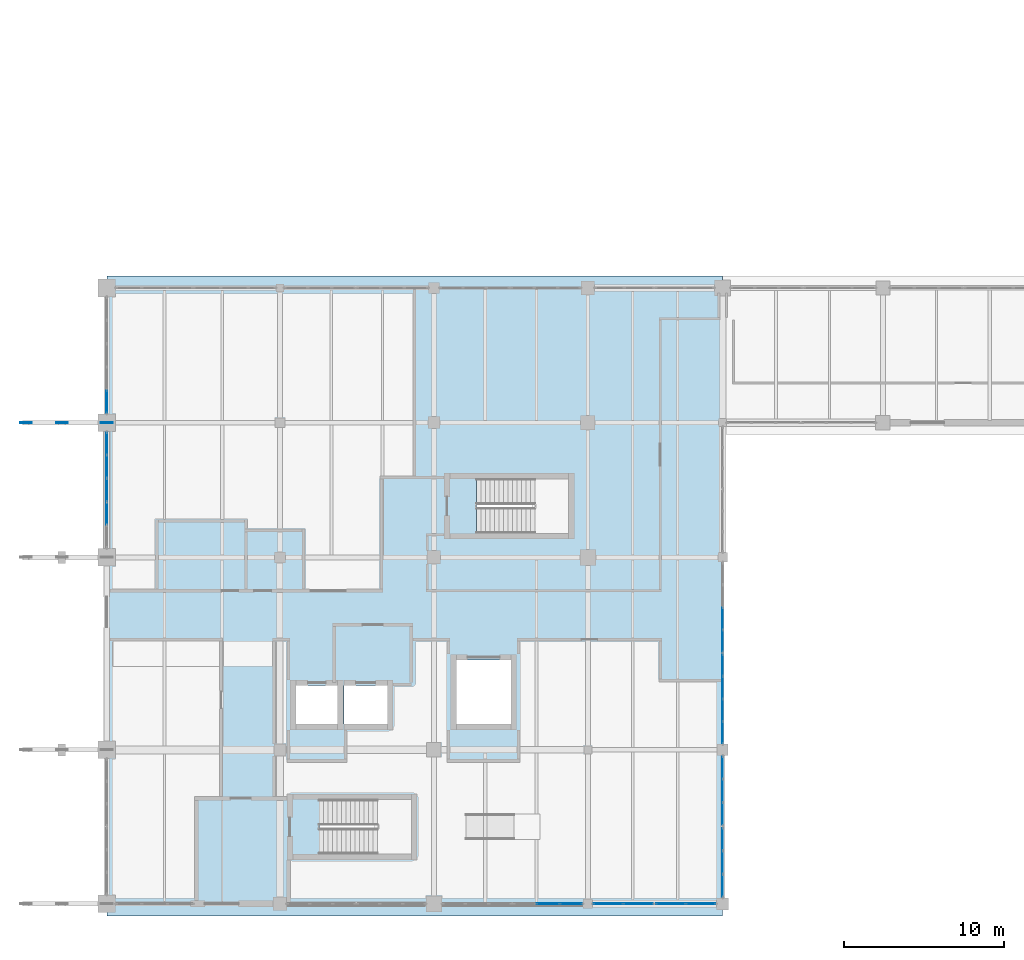
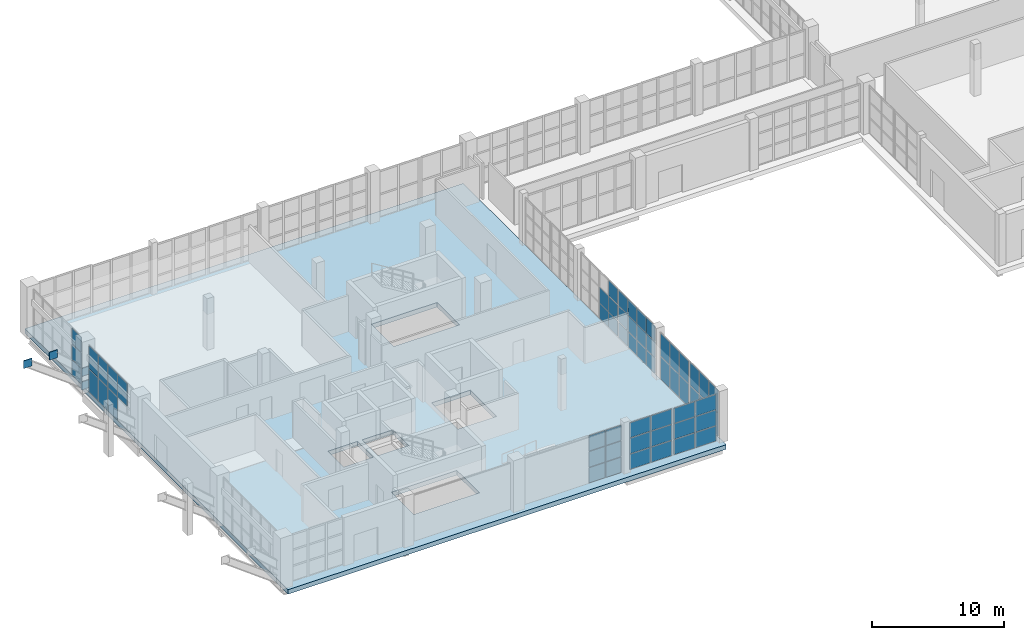
# One storey, part 73 of 121: 61 plates, 1 slab, 9 elements without a shape of their own.
"""IFC4 building model written with IfcOpenShell, lengths in metres."""

from ifc_helpers import new_model, si_unit, direction, frame, origin, origin_2d, place, context, subcontext, project, spatial, polyline, rectangle, outline, extrude, material, layer, layer_set, type_object, element, aggregate, save


model = new_model("IFC4")

# Units and contexts
model_context = context("Model", 3, precision=1e-05, world=origin(), true_north=direction((0.0, 1.0)))
body_context = subcontext(model_context, "Body", "Model", "MODEL_VIEW")
ifc_project = project(units=[si_unit("LENGTHUNIT", "METRE"), si_unit("AREAUNIT", "SQUARE_METRE"), si_unit("VOLUMEUNIT", "CUBIC_METRE"), si_unit("PLANEANGLEUNIT", "RADIAN"), si_unit("MASSUNIT", "GRAM", prefix="KILO")], contexts=[model_context])

# Site, building, storey
site_placement = place(None, origin())
site = spatial("IfcSite", under=ifc_project, at=site_placement, CompositionType="ELEMENT")
building_placement = place(site_placement, origin())
building = spatial("IfcBuilding", under=site, at=building_placement, Name="Zereglee Splitstone Museum", CompositionType="ELEMENT")
storey_placement = place(building_placement, origin())
storey = spatial("IfcBuildingStorey", under=building, at=storey_placement, Name="L00", CompositionType="ELEMENT", Elevation=0.0)

# Curtain wall, plates
ifc_material_1 = material(Name="Triple-glazed low-E argon glass and bronze-anodised aluminium", Category="aluminium")
ifc_layer_1 = layer(ifc_material_1, 0.179931640625)
ifc_layer_set_1 = layer_set([ifc_layer_1], Name="Triple-glazed low-E argon glass and bronze-anodised aluminium")
curtain_wall_type_1 = type_object("IfcCurtainWallType", Name="CW-0728-444", PredefinedType="USERDEFINED", material=ifc_layer_set_1)
curtain_wall_1_placement = place(storey_placement, origin())
curtain_wall_1 = element("IfcCurtainWall", 1, at=curtain_wall_1_placement, inside=storey, type_object=curtain_wall_type_1, Name="Glazed Curtain Wall CW-0728-444 (L00)", ObjectType="GLAZED CURTAIN WALL", PredefinedType="USERDEFINED")
ifc_material_2 = material(Name="Triple low-e argon insulated safety glass", Category="glass")
ifc_layer_2 = layer(ifc_material_2, 0.035888671875)
ifc_layer_set_2 = layer_set([ifc_layer_2], Name="Triple low-e argon insulated safety glass")
plate_type_1 = type_object("IfcPlateType", Name="CWP-01", PredefinedType="CURTAIN_PANEL", material=ifc_layer_set_2)
plate_1_placement = place(storey_placement, frame((9.60009765625, 31.302734375, 0.06494140625), z_axis=(0.0, 0.0, 1.0), x_axis=(0.0, -1.0, 0.0)))
plate_1 = element("IfcPlate", 2, at=plate_1_placement, type_object=plate_type_1, Name="CW-0728-444 panel 5.1", PredefinedType="CURTAIN_PANEL", context=body_context, shape_type="SweptSolid", body=[
    extrude(rectangle(XDim=1.359375, YDim=0.035888671875, at=origin_2d()), origin(), (0.0, 0.0, 1.0), 1.382568359375),
])
plate_2_placement = place(storey_placement, frame((9.60009765625, 31.302734375, 1.512451171875), z_axis=(0.0, 0.0, 1.0), x_axis=(0.0, -1.0, 0.0)))
plate_2 = element("IfcPlate", 3, at=plate_2_placement, type_object=plate_type_1, Name="CW-0728-444 panel 5.2", PredefinedType="CURTAIN_PANEL", context=body_context, shape_type="SweptSolid", body=[
    extrude(rectangle(XDim=1.359375, YDim=0.035888671875, at=origin_2d()), origin(), (0.0, 0.0, 1.0), 1.4150390625),
])
plate_3_placement = place(storey_placement, frame((9.60009765625, 31.302734375, 2.99267578125), z_axis=(0.0, 0.0, 1.0), x_axis=(0.0, -1.0, 0.0)))
plate_3 = element("IfcPlate", 4, at=plate_3_placement, type_object=plate_type_1, Name="CW-0728-444 panel 5.3", PredefinedType="CURTAIN_PANEL", context=body_context, shape_type="SweptSolid", body=[
    extrude(rectangle(XDim=1.359375, YDim=0.035888671875, at=origin_2d()), origin(), (0.0, 0.0, 1.0), 1.382568359375),
])
aggregate(curtain_wall_1, [plate_1, plate_2, plate_3])

ifc_layer_3 = layer(ifc_material_1, 0.179931640625)
ifc_layer_set_3 = layer_set([ifc_layer_3], Name="Triple-glazed low-E argon glass and bronze-anodised aluminium")
curtain_wall_type_2 = type_object("IfcCurtainWallType", Name="CW-0728-438", PredefinedType="USERDEFINED", material=ifc_layer_set_3)
curtain_wall_2_placement = place(storey_placement, origin())
curtain_wall_2 = element("IfcCurtainWall", 5, at=curtain_wall_2_placement, inside=storey, type_object=curtain_wall_type_2, Name="Glazed Curtain Wall CW-0728-438 (L00)", ObjectType="GLAZED CURTAIN WALL", PredefinedType="USERDEFINED")
plate_4_placement = place(storey_placement, frame((9.60009765625, 28.697265625, 0.06494140625), z_axis=(0.0, 0.0, 1.0), x_axis=(0.0, -1.0, 0.0)))
plate_4 = element("IfcPlate", 6, at=plate_4_placement, type_object=plate_type_1, Name="CW-0728-438 panel 1.1", PredefinedType="CURTAIN_PANEL", context=body_context, shape_type="SweptSolid", body=[
    extrude(rectangle(XDim=1.359375, YDim=0.035888671875, at=origin_2d()), origin(), (0.0, 0.0, 1.0), 2.092529296875),
])
plate_5_placement = place(storey_placement, frame((9.60009765625, 28.697265625, 2.22265625), z_axis=(0.0, 0.0, 1.0), x_axis=(0.0, -1.0, 0.0)))
plate_5 = element("IfcPlate", 7, at=plate_5_placement, type_object=plate_type_1, Name="CW-0728-438 panel 1.2", PredefinedType="CURTAIN_PANEL", context=body_context, shape_type="SweptSolid", body=[
    extrude(rectangle(XDim=1.359375, YDim=0.035888671875, at=origin_2d()), origin(), (0.0, 0.0, 1.0), 2.092529296875),
])
plate_6_placement = place(storey_placement, frame((9.60009765625, 27.2568359375, 0.06494140625), z_axis=(0.0, 0.0, 1.0), x_axis=(0.0, -1.0, 0.0)))
plate_6 = element("IfcPlate", 8, at=plate_6_placement, type_object=plate_type_1, Name="CW-0728-438 panel 2.1", PredefinedType="CURTAIN_PANEL", context=body_context, shape_type="SweptSolid", body=[
    extrude(rectangle(XDim=1.391845703125, YDim=0.035888671875, at=origin_2d()), origin(), (0.0, 0.0, 1.0), 2.092529296875),
])
plate_7_placement = place(storey_placement, frame((9.60009765625, 27.2568359375, 2.22265625), z_axis=(0.0, 0.0, 1.0), x_axis=(0.0, -1.0, 0.0)))
plate_7 = element("IfcPlate", 9, at=plate_7_placement, type_object=plate_type_1, Name="CW-0728-438 panel 2.2", PredefinedType="CURTAIN_PANEL", context=body_context, shape_type="SweptSolid", body=[
    extrude(rectangle(XDim=1.391845703125, YDim=0.035888671875, at=origin_2d()), origin(), (0.0, 0.0, 1.0), 2.092529296875),
])
plate_8_placement = place(storey_placement, frame((9.60009765625, 25.800048828125, 0.06494140625), z_axis=(0.0, 0.0, 1.0), x_axis=(0.0, -1.0, 0.0)))
plate_8 = element("IfcPlate", 10, at=plate_8_placement, type_object=plate_type_1, Name="CW-0728-438 panel 3.1", PredefinedType="CURTAIN_PANEL", context=body_context, shape_type="SweptSolid", body=[
    extrude(rectangle(XDim=1.391845703125, YDim=0.035888671875, at=origin_2d()), origin(), (0.0, 0.0, 1.0), 2.092529296875),
])
plate_9_placement = place(storey_placement, frame((9.60009765625, 25.800048828125, 2.22265625), z_axis=(0.0, 0.0, 1.0), x_axis=(0.0, -1.0, 0.0)))
plate_9 = element("IfcPlate", 11, at=plate_9_placement, type_object=plate_type_1, Name="CW-0728-438 panel 3.2", PredefinedType="CURTAIN_PANEL", context=body_context, shape_type="SweptSolid", body=[
    extrude(rectangle(XDim=1.391845703125, YDim=0.035888671875, at=origin_2d()), origin(), (0.0, 0.0, 1.0), 2.092529296875),
])
plate_10_placement = place(storey_placement, frame((9.60009765625, 24.34326171875, 2.22265625), z_axis=(0.0, 0.0, 1.0), x_axis=(0.0, -1.0, 0.0)))
plate_10 = element("IfcPlate", 12, at=plate_10_placement, type_object=plate_type_1, Name="CW-0728-438 panel 4.2", PredefinedType="CURTAIN_PANEL", context=body_context, shape_type="SweptSolid", body=[
    extrude(rectangle(XDim=1.391845703125, YDim=0.035888671875, at=origin_2d()), origin(), (0.0, 0.0, 1.0), 2.092529296875),
])
aggregate(curtain_wall_2, [plate_4, plate_5, plate_6, plate_7, plate_8, plate_9, plate_10])

ifc_layer_4 = layer(ifc_material_1, 0.179931640625)
ifc_layer_set_4 = layer_set([ifc_layer_4], Name="Triple-glazed low-E argon glass and bronze-anodised aluminium")
curtain_wall_type_3 = type_object("IfcCurtainWallType", Name="CW-0435-448", PredefinedType="USERDEFINED", material=ifc_layer_set_4)
curtain_wall_3_placement = place(storey_placement, origin())
curtain_wall_3 = element("IfcCurtainWall", 13, at=curtain_wall_3_placement, inside=storey, type_object=curtain_wall_type_3, Name="Glazed Curtain Wall CW-0435-448 (L00)", ObjectType="GLAZED CURTAIN WALL", PredefinedType="USERDEFINED")
plate_11_placement = place(storey_placement, frame((37.115966796875, 0.0, 0.06494140625), z_axis=(0.0, 0.0, 1.0), x_axis=(1.0, 0.0, 0.0)))
plate_11 = element("IfcPlate", 14, at=plate_11_placement, type_object=plate_type_1, Name="CW-0435-448 panel 2.1", PredefinedType="CURTAIN_PANEL", context=body_context, shape_type="SweptSolid", body=[
    extrude(rectangle(XDim=1.3857421875, YDim=0.035888671875, at=origin_2d()), origin(), (0.0, 0.0, 1.0), 1.395751953125),
])
plate_12_placement = place(storey_placement, frame((37.115966796875, 0.0, 1.52587890625), z_axis=(0.0, 0.0, 1.0), x_axis=(1.0, 0.0, 0.0)))
plate_12 = element("IfcPlate", 15, at=plate_12_placement, type_object=plate_type_1, Name="CW-0435-448 panel 2.2", PredefinedType="CURTAIN_PANEL", context=body_context, shape_type="SweptSolid", body=[
    extrude(rectangle(XDim=1.3857421875, YDim=0.035888671875, at=origin_2d()), origin(), (0.0, 0.0, 1.0), 1.428466796875),
])
plate_13_placement = place(storey_placement, frame((37.115966796875, 0.0, 3.01904296875), z_axis=(0.0, 0.0, 1.0), x_axis=(1.0, 0.0, 0.0)))
plate_13 = element("IfcPlate", 16, at=plate_13_placement, type_object=plate_type_1, Name="CW-0435-448 panel 2.3", PredefinedType="CURTAIN_PANEL", context=body_context, shape_type="SweptSolid", body=[
    extrude(rectangle(XDim=1.3857421875, YDim=0.035888671875, at=origin_2d()), origin(), (0.0, 0.0, 1.0), 1.395751953125),
])
plate_14_placement = place(storey_placement, frame((38.550537109375, 0.0, 0.06494140625), z_axis=(0.0, 0.0, 1.0), x_axis=(1.0, 0.0, 0.0)))
plate_14 = element("IfcPlate", 17, at=plate_14_placement, type_object=plate_type_1, Name="CW-0435-448 panel 3.1", PredefinedType="CURTAIN_PANEL", context=body_context, shape_type="SweptSolid", body=[
    extrude(rectangle(XDim=1.353271484375, YDim=0.035888671875, at=origin_2d()), origin(), (0.0, 0.0, 1.0), 1.395751953125),
])
plate_15_placement = place(storey_placement, frame((38.550537109375, 0.0, 1.52587890625), z_axis=(0.0, 0.0, 1.0), x_axis=(1.0, 0.0, 0.0)))
plate_15 = element("IfcPlate", 18, at=plate_15_placement, type_object=plate_type_1, Name="CW-0435-448 panel 3.2", PredefinedType="CURTAIN_PANEL", context=body_context, shape_type="SweptSolid", body=[
    extrude(rectangle(XDim=1.353271484375, YDim=0.035888671875, at=origin_2d()), origin(), (0.0, 0.0, 1.0), 1.428466796875),
])
plate_16_placement = place(storey_placement, frame((38.550537109375, 0.0, 3.01904296875), z_axis=(0.0, 0.0, 1.0), x_axis=(1.0, 0.0, 0.0)))
plate_16 = element("IfcPlate", 19, at=plate_16_placement, type_object=plate_type_1, Name="CW-0435-448 panel 3.3", PredefinedType="CURTAIN_PANEL", context=body_context, shape_type="SweptSolid", body=[
    extrude(rectangle(XDim=1.353271484375, YDim=0.035888671875, at=origin_2d()), origin(), (0.0, 0.0, 1.0), 1.395751953125),
])
aggregate(curtain_wall_3, [plate_11, plate_12, plate_13, plate_14, plate_15, plate_16])

ifc_layer_5 = layer(ifc_material_1, 0.179931640625)
ifc_layer_set_5 = layer_set([ifc_layer_5], Name="Triple-glazed low-E argon glass and bronze-anodised aluminium")
curtain_wall_type_4 = type_object("IfcCurtainWallType", Name="CW-0381-444", PredefinedType="USERDEFINED", material=ifc_layer_set_5)
curtain_wall_4_placement = place(storey_placement, origin())
curtain_wall_4 = element("IfcCurtainWall", 20, at=curtain_wall_4_placement, inside=storey, type_object=curtain_wall_type_4, Name="Glazed Curtain Wall CW-0381-444 (L00)", ObjectType="GLAZED CURTAIN WALL", PredefinedType="USERDEFINED")
plate_17_placement = place(storey_placement, frame((40.8779296875, 0.0, 0.06494140625), z_axis=(0.0, 0.0, 1.0), x_axis=(1.0, 0.0, 0.0)))
plate_17 = element("IfcPlate", 21, at=plate_17_placement, type_object=plate_type_1, Name="CW-0381-444 panel 1.1", PredefinedType="CURTAIN_PANEL", context=body_context, shape_type="SweptSolid", body=[
    extrude(rectangle(XDim=1.809814453125, YDim=0.035888671875, at=origin_2d()), origin(), (0.0, 0.0, 1.0), 1.382568359375),
])
plate_18_placement = place(storey_placement, frame((40.8779296875, 0.0, 1.512451171875), z_axis=(0.0, 0.0, 1.0), x_axis=(1.0, 0.0, 0.0)))
plate_18 = element("IfcPlate", 22, at=plate_18_placement, type_object=plate_type_1, Name="CW-0381-444 panel 1.2", PredefinedType="CURTAIN_PANEL", context=body_context, shape_type="SweptSolid", body=[
    extrude(rectangle(XDim=1.809814453125, YDim=0.035888671875, at=origin_2d()), origin(), (0.0, 0.0, 1.0), 1.4150390625),
])
plate_19_placement = place(storey_placement, frame((40.8779296875, 0.0, 2.99267578125), z_axis=(0.0, 0.0, 1.0), x_axis=(1.0, 0.0, 0.0)))
plate_19 = element("IfcPlate", 23, at=plate_19_placement, type_object=plate_type_1, Name="CW-0381-444 panel 1.3", PredefinedType="CURTAIN_PANEL", context=body_context, shape_type="SweptSolid", body=[
    extrude(rectangle(XDim=1.809814453125, YDim=0.035888671875, at=origin_2d()), origin(), (0.0, 0.0, 1.0), 1.382568359375),
])
plate_20_placement = place(storey_placement, frame((42.752685546875, 0.0, 0.06494140625), z_axis=(0.0, 0.0, 1.0), x_axis=(1.0, 0.0, 0.0)))
plate_20 = element("IfcPlate", 24, at=plate_20_placement, type_object=plate_type_1, Name="CW-0381-444 panel 2.1", PredefinedType="CURTAIN_PANEL", context=body_context, shape_type="SweptSolid", body=[
    extrude(rectangle(XDim=1.809814453125, YDim=0.035888671875, at=origin_2d()), origin(), (0.0, 0.0, 1.0), 1.382568359375),
])
plate_21_placement = place(storey_placement, frame((42.752685546875, 0.0, 1.512451171875), z_axis=(0.0, 0.0, 1.0), x_axis=(1.0, 0.0, 0.0)))
plate_21 = element("IfcPlate", 25, at=plate_21_placement, type_object=plate_type_1, Name="CW-0381-444 panel 2.2", PredefinedType="CURTAIN_PANEL", context=body_context, shape_type="SweptSolid", body=[
    extrude(rectangle(XDim=1.809814453125, YDim=0.035888671875, at=origin_2d()), origin(), (0.0, 0.0, 1.0), 1.4150390625),
])
plate_22_placement = place(storey_placement, frame((42.752685546875, 0.0, 2.99267578125), z_axis=(0.0, 0.0, 1.0), x_axis=(1.0, 0.0, 0.0)))
plate_22 = element("IfcPlate", 26, at=plate_22_placement, type_object=plate_type_1, Name="CW-0381-444 panel 2.3", PredefinedType="CURTAIN_PANEL", context=body_context, shape_type="SweptSolid", body=[
    extrude(rectangle(XDim=1.809814453125, YDim=0.035888671875, at=origin_2d()), origin(), (0.0, 0.0, 1.0), 1.382568359375),
])
aggregate(curtain_wall_4, [plate_17, plate_18, plate_19, plate_20, plate_21, plate_22])

ifc_layer_6 = layer(ifc_material_1, 0.179931640625)
ifc_layer_set_6 = layer_set([ifc_layer_6], Name="Triple-glazed low-E argon glass and bronze-anodised aluminium")
curtain_wall_type_5 = type_object("IfcCurtainWallType", Name="CW-0381-442", PredefinedType="USERDEFINED", material=ifc_layer_set_6)
curtain_wall_5_placement = place(storey_placement, origin())
curtain_wall_5 = element("IfcCurtainWall", 27, at=curtain_wall_5_placement, inside=storey, type_object=curtain_wall_type_5, Name="Glazed Curtain Wall CW-0381-442 (L00)", ObjectType="GLAZED CURTAIN WALL", PredefinedType="USERDEFINED")
plate_23_placement = place(storey_placement, frame((44.7724609375, 0.0, 0.06494140625), z_axis=(0.0, 0.0, 1.0), x_axis=(1.0, 0.0, 0.0)))
plate_23 = element("IfcPlate", 28, at=plate_23_placement, type_object=plate_type_1, Name="CW-0381-442 panel 1.1", PredefinedType="CURTAIN_PANEL", context=body_context, shape_type="SweptSolid", body=[
    extrude(rectangle(XDim=1.809814453125, YDim=0.035888671875, at=origin_2d()), origin(), (0.0, 0.0, 1.0), 1.375732421875),
])
plate_24_placement = place(storey_placement, frame((44.7724609375, 0.0, 1.505859375), z_axis=(0.0, 0.0, 1.0), x_axis=(1.0, 0.0, 0.0)))
plate_24 = element("IfcPlate", 29, at=plate_24_placement, type_object=plate_type_1, Name="CW-0381-442 panel 1.2", PredefinedType="CURTAIN_PANEL", context=body_context, shape_type="SweptSolid", body=[
    extrude(rectangle(XDim=1.809814453125, YDim=0.035888671875, at=origin_2d()), origin(), (0.0, 0.0, 1.0), 1.408447265625),
])
plate_25_placement = place(storey_placement, frame((44.7724609375, 0.0, 2.97900390625), z_axis=(0.0, 0.0, 1.0), x_axis=(1.0, 0.0, 0.0)))
plate_25 = element("IfcPlate", 30, at=plate_25_placement, type_object=plate_type_1, Name="CW-0381-442 panel 1.3", PredefinedType="CURTAIN_PANEL", context=body_context, shape_type="SweptSolid", body=[
    extrude(rectangle(XDim=1.809814453125, YDim=0.035888671875, at=origin_2d()), origin(), (0.0, 0.0, 1.0), 1.375732421875),
])
plate_26_placement = place(storey_placement, frame((46.647216796875, 0.0, 0.06494140625), z_axis=(0.0, 0.0, 1.0), x_axis=(1.0, 0.0, 0.0)))
plate_26 = element("IfcPlate", 31, at=plate_26_placement, type_object=plate_type_1, Name="CW-0381-442 panel 2.1", PredefinedType="CURTAIN_PANEL", context=body_context, shape_type="SweptSolid", body=[
    extrude(rectangle(XDim=1.809814453125, YDim=0.035888671875, at=origin_2d()), origin(), (0.0, 0.0, 1.0), 1.375732421875),
])
plate_27_placement = place(storey_placement, frame((46.647216796875, 0.0, 1.505859375), z_axis=(0.0, 0.0, 1.0), x_axis=(1.0, 0.0, 0.0)))
plate_27 = element("IfcPlate", 32, at=plate_27_placement, type_object=plate_type_1, Name="CW-0381-442 panel 2.2", PredefinedType="CURTAIN_PANEL", context=body_context, shape_type="SweptSolid", body=[
    extrude(rectangle(XDim=1.809814453125, YDim=0.035888671875, at=origin_2d()), origin(), (0.0, 0.0, 1.0), 1.408447265625),
])
plate_28_placement = place(storey_placement, frame((46.647216796875, 0.0, 2.97900390625), z_axis=(0.0, 0.0, 1.0), x_axis=(1.0, 0.0, 0.0)))
plate_28 = element("IfcPlate", 33, at=plate_28_placement, type_object=plate_type_1, Name="CW-0381-442 panel 2.3", PredefinedType="CURTAIN_PANEL", context=body_context, shape_type="SweptSolid", body=[
    extrude(rectangle(XDim=1.809814453125, YDim=0.035888671875, at=origin_2d()), origin(), (0.0, 0.0, 1.0), 1.375732421875),
])
aggregate(curtain_wall_5, [plate_23, plate_24, plate_25, plate_26, plate_27, plate_28])

ifc_layer_7 = layer(ifc_material_1, 0.179931640625)
ifc_layer_set_7 = layer_set([ifc_layer_7], Name="Triple-glazed low-E argon glass and bronze-anodised aluminium")
curtain_wall_type_6 = type_object("IfcCurtainWallType", Name="CW-0439-438", PredefinedType="USERDEFINED", material=ifc_layer_set_7)
curtain_wall_6_placement = place(storey_placement, origin())
curtain_wall_6 = element("IfcCurtainWall", 34, at=curtain_wall_6_placement, inside=storey, type_object=curtain_wall_type_6, Name="Glazed Curtain Wall CW-0439-438 (L00)", ObjectType="GLAZED CURTAIN WALL", PredefinedType="USERDEFINED")
plate_29_placement = place(storey_placement, frame((48.0, 1.130859375, 0.06494140625), z_axis=(0.0, 0.0, 1.0), x_axis=(0.0, 1.0, 0.0)))
plate_29 = element("IfcPlate", 35, at=plate_29_placement, type_object=plate_type_1, Name="CW-0439-438 panel 1.1", PredefinedType="CURTAIN_PANEL", context=body_context, shape_type="SweptSolid", body=[
    extrude(rectangle(XDim=1.36572265625, YDim=0.035888671875, at=origin_2d()), origin(), (0.0, 0.0, 1.0), 2.092529296875),
])
plate_30_placement = place(storey_placement, frame((48.0, 1.130859375, 2.22265625), z_axis=(0.0, 0.0, 1.0), x_axis=(0.0, 1.0, 0.0)))
plate_30 = element("IfcPlate", 36, at=plate_30_placement, type_object=plate_type_1, Name="CW-0439-438 panel 1.2", PredefinedType="CURTAIN_PANEL", context=body_context, shape_type="SweptSolid", body=[
    extrude(rectangle(XDim=1.36572265625, YDim=0.035888671875, at=origin_2d()), origin(), (0.0, 0.0, 1.0), 2.092529296875),
])
plate_31_placement = place(storey_placement, frame((48.0, 2.57763671875, 0.06494140625), z_axis=(0.0, 0.0, 1.0), x_axis=(0.0, 1.0, 0.0)))
plate_31 = element("IfcPlate", 37, at=plate_31_placement, type_object=plate_type_1, Name="CW-0439-438 panel 2.1", PredefinedType="CURTAIN_PANEL", context=body_context, shape_type="SweptSolid", body=[
    extrude(rectangle(XDim=1.398193359375, YDim=0.035888671875, at=origin_2d()), origin(), (0.0, 0.0, 1.0), 2.092529296875),
])
plate_32_placement = place(storey_placement, frame((48.0, 2.57763671875, 2.22265625), z_axis=(0.0, 0.0, 1.0), x_axis=(0.0, 1.0, 0.0)))
plate_32 = element("IfcPlate", 38, at=plate_32_placement, type_object=plate_type_1, Name="CW-0439-438 panel 2.2", PredefinedType="CURTAIN_PANEL", context=body_context, shape_type="SweptSolid", body=[
    extrude(rectangle(XDim=1.398193359375, YDim=0.035888671875, at=origin_2d()), origin(), (0.0, 0.0, 1.0), 2.092529296875),
])
plate_33_placement = place(storey_placement, frame((48.0, 4.024658203125, 0.06494140625), z_axis=(0.0, 0.0, 1.0), x_axis=(0.0, 1.0, 0.0)))
plate_33 = element("IfcPlate", 39, at=plate_33_placement, type_object=plate_type_1, Name="CW-0439-438 panel 3.1", PredefinedType="CURTAIN_PANEL", context=body_context, shape_type="SweptSolid", body=[
    extrude(rectangle(XDim=1.36572265625, YDim=0.035888671875, at=origin_2d()), origin(), (0.0, 0.0, 1.0), 2.092529296875),
])
plate_34_placement = place(storey_placement, frame((48.0, 4.024658203125, 2.22265625), z_axis=(0.0, 0.0, 1.0), x_axis=(0.0, 1.0, 0.0)))
plate_34 = element("IfcPlate", 40, at=plate_34_placement, type_object=plate_type_1, Name="CW-0439-438 panel 3.2", PredefinedType="CURTAIN_PANEL", context=body_context, shape_type="SweptSolid", body=[
    extrude(rectangle(XDim=1.36572265625, YDim=0.035888671875, at=origin_2d()), origin(), (0.0, 0.0, 1.0), 2.092529296875),
])
aggregate(curtain_wall_6, [plate_29, plate_30, plate_31, plate_32, plate_33, plate_34])

ifc_layer_8 = layer(ifc_material_1, 0.179931640625)
ifc_layer_set_8 = layer_set([ifc_layer_8], Name="Triple-glazed low-E argon glass and bronze-anodised aluminium")
curtain_wall_type_7 = type_object("IfcCurtainWallType", Name="CW-0439-436", PredefinedType="USERDEFINED", material=ifc_layer_set_8)
curtain_wall_7_placement = place(storey_placement, origin())
curtain_wall_7 = element("IfcCurtainWall", 41, at=curtain_wall_7_placement, inside=storey, type_object=curtain_wall_type_7, Name="Glazed Curtain Wall CW-0439-436 (L00)", ObjectType="GLAZED CURTAIN WALL", PredefinedType="USERDEFINED")
plate_35_placement = place(storey_placement, frame((48.0, 5.600341796875, 0.06494140625), z_axis=(0.0, 0.0, 1.0), x_axis=(0.0, 1.0, 0.0)))
plate_35 = element("IfcPlate", 42, at=plate_35_placement, type_object=plate_type_1, Name="CW-0439-436 panel 1.1", PredefinedType="CURTAIN_PANEL", context=body_context, shape_type="SweptSolid", body=[
    extrude(rectangle(XDim=1.36572265625, YDim=0.035888671875, at=origin_2d()), origin(), (0.0, 0.0, 1.0), 2.08251953125),
])
plate_36_placement = place(storey_placement, frame((48.0, 5.600341796875, 2.21240234375), z_axis=(0.0, 0.0, 1.0), x_axis=(0.0, 1.0, 0.0)))
plate_36 = element("IfcPlate", 43, at=plate_36_placement, type_object=plate_type_1, Name="CW-0439-436 panel 1.2", PredefinedType="CURTAIN_PANEL", context=body_context, shape_type="SweptSolid", body=[
    extrude(rectangle(XDim=1.36572265625, YDim=0.035888671875, at=origin_2d()), origin(), (0.0, 0.0, 1.0), 2.08251953125),
])
plate_37_placement = place(storey_placement, frame((48.0, 7.04736328125, 0.06494140625), z_axis=(0.0, 0.0, 1.0), x_axis=(0.0, 1.0, 0.0)))
plate_37 = element("IfcPlate", 44, at=plate_37_placement, type_object=plate_type_1, Name="CW-0439-436 panel 2.1", PredefinedType="CURTAIN_PANEL", context=body_context, shape_type="SweptSolid", body=[
    extrude(rectangle(XDim=1.398193359375, YDim=0.035888671875, at=origin_2d()), origin(), (0.0, 0.0, 1.0), 2.08251953125),
])
plate_38_placement = place(storey_placement, frame((48.0, 7.04736328125, 2.21240234375), z_axis=(0.0, 0.0, 1.0), x_axis=(0.0, 1.0, 0.0)))
plate_38 = element("IfcPlate", 45, at=plate_38_placement, type_object=plate_type_1, Name="CW-0439-436 panel 2.2", PredefinedType="CURTAIN_PANEL", context=body_context, shape_type="SweptSolid", body=[
    extrude(rectangle(XDim=1.398193359375, YDim=0.035888671875, at=origin_2d()), origin(), (0.0, 0.0, 1.0), 2.08251953125),
])
plate_39_placement = place(storey_placement, frame((48.0, 8.494140625, 0.06494140625), z_axis=(0.0, 0.0, 1.0), x_axis=(0.0, 1.0, 0.0)))
plate_39 = element("IfcPlate", 46, at=plate_39_placement, type_object=plate_type_1, Name="CW-0439-436 panel 3.1", PredefinedType="CURTAIN_PANEL", context=body_context, shape_type="SweptSolid", body=[
    extrude(rectangle(XDim=1.36572265625, YDim=0.035888671875, at=origin_2d()), origin(), (0.0, 0.0, 1.0), 2.08251953125),
])
plate_40_placement = place(storey_placement, frame((48.0, 8.494140625, 2.21240234375), z_axis=(0.0, 0.0, 1.0), x_axis=(0.0, 1.0, 0.0)))
plate_40 = element("IfcPlate", 47, at=plate_40_placement, type_object=plate_type_1, Name="CW-0439-436 panel 3.2", PredefinedType="CURTAIN_PANEL", context=body_context, shape_type="SweptSolid", body=[
    extrude(rectangle(XDim=1.36572265625, YDim=0.035888671875, at=origin_2d()), origin(), (0.0, 0.0, 1.0), 2.08251953125),
])
aggregate(curtain_wall_7, [plate_35, plate_36, plate_37, plate_38, plate_39, plate_40])

ifc_layer_9 = layer(ifc_material_1, 0.179931640625)
ifc_layer_set_9 = layer_set([ifc_layer_9], Name="Triple-glazed low-E argon glass and bronze-anodised aluminium")
curtain_wall_type_8 = type_object("IfcCurtainWallType", Name="CW-0563-450", PredefinedType="USERDEFINED", material=ifc_layer_set_9)
curtain_wall_8_placement = place(storey_placement, origin())
curtain_wall_8 = element("IfcCurtainWall", 48, at=curtain_wall_8_placement, inside=storey, type_object=curtain_wall_type_8, Name="Glazed Curtain Wall CW-0563-450 (L00)", ObjectType="GLAZED CURTAIN WALL", PredefinedType="USERDEFINED")
plate_41_placement = place(storey_placement, frame((48.0, 10.677734375, 0.06494140625), z_axis=(0.0, 0.0, 1.0), x_axis=(0.0, 1.0, 0.0)))
plate_41 = element("IfcPlate", 49, at=plate_41_placement, type_object=plate_type_1, Name="CW-0563-450 panel 1.1", PredefinedType="CURTAIN_PANEL", context=body_context, shape_type="SweptSolid", body=[
    extrude(rectangle(XDim=1.309326171875, YDim=0.035888671875, at=origin_2d()), origin(), (0.0, 0.0, 1.0), 1.402587890625),
])
plate_42_placement = place(storey_placement, frame((48.0, 10.677734375, 1.532470703125), z_axis=(0.0, 0.0, 1.0), x_axis=(0.0, 1.0, 0.0)))
plate_42 = element("IfcPlate", 50, at=plate_42_placement, type_object=plate_type_1, Name="CW-0563-450 panel 1.2", PredefinedType="CURTAIN_PANEL", context=body_context, shape_type="SweptSolid", body=[
    extrude(rectangle(XDim=1.309326171875, YDim=0.035888671875, at=origin_2d()), origin(), (0.0, 0.0, 1.0), 1.43505859375),
])
plate_43_placement = place(storey_placement, frame((48.0, 10.677734375, 3.0322265625), z_axis=(0.0, 0.0, 1.0), x_axis=(0.0, 1.0, 0.0)))
plate_43 = element("IfcPlate", 51, at=plate_43_placement, type_object=plate_type_1, Name="CW-0563-450 panel 1.3", PredefinedType="CURTAIN_PANEL", context=body_context, shape_type="SweptSolid", body=[
    extrude(rectangle(XDim=1.309326171875, YDim=0.035888671875, at=origin_2d()), origin(), (0.0, 0.0, 1.0), 1.402587890625),
])
plate_44_placement = place(storey_placement, frame((48.0, 12.068115234375, 0.06494140625), z_axis=(0.0, 0.0, 1.0), x_axis=(0.0, 1.0, 0.0)))
plate_44 = element("IfcPlate", 52, at=plate_44_placement, type_object=plate_type_1, Name="CW-0563-450 panel 2.1", PredefinedType="CURTAIN_PANEL", context=body_context, shape_type="SweptSolid", body=[
    extrude(rectangle(XDim=1.341796875, YDim=0.035888671875, at=origin_2d()), origin(), (0.0, 0.0, 1.0), 1.402587890625),
])
plate_45_placement = place(storey_placement, frame((48.0, 12.068115234375, 1.532470703125), z_axis=(0.0, 0.0, 1.0), x_axis=(0.0, 1.0, 0.0)))
plate_45 = element("IfcPlate", 53, at=plate_45_placement, type_object=plate_type_1, Name="CW-0563-450 panel 2.2", PredefinedType="CURTAIN_PANEL", context=body_context, shape_type="SweptSolid", body=[
    extrude(rectangle(XDim=1.341796875, YDim=0.035888671875, at=origin_2d()), origin(), (0.0, 0.0, 1.0), 1.43505859375),
])
plate_46_placement = place(storey_placement, frame((48.0, 12.068115234375, 3.0322265625), z_axis=(0.0, 0.0, 1.0), x_axis=(0.0, 1.0, 0.0)))
plate_46 = element("IfcPlate", 54, at=plate_46_placement, type_object=plate_type_1, Name="CW-0563-450 panel 2.3", PredefinedType="CURTAIN_PANEL", context=body_context, shape_type="SweptSolid", body=[
    extrude(rectangle(XDim=1.341796875, YDim=0.035888671875, at=origin_2d()), origin(), (0.0, 0.0, 1.0), 1.402587890625),
])
plate_47_placement = place(storey_placement, frame((48.0, 13.474853515625, 0.06494140625), z_axis=(0.0, 0.0, 1.0), x_axis=(0.0, 1.0, 0.0)))
plate_47 = element("IfcPlate", 55, at=plate_47_placement, type_object=plate_type_1, Name="CW-0563-450 panel 3.1", PredefinedType="CURTAIN_PANEL", context=body_context, shape_type="SweptSolid", body=[
    extrude(rectangle(XDim=1.341796875, YDim=0.035888671875, at=origin_2d()), origin(), (0.0, 0.0, 1.0), 1.402587890625),
])
plate_48_placement = place(storey_placement, frame((48.0, 13.474853515625, 1.532470703125), z_axis=(0.0, 0.0, 1.0), x_axis=(0.0, 1.0, 0.0)))
plate_48 = element("IfcPlate", 56, at=plate_48_placement, type_object=plate_type_1, Name="CW-0563-450 panel 3.2", PredefinedType="CURTAIN_PANEL", context=body_context, shape_type="SweptSolid", body=[
    extrude(rectangle(XDim=1.341796875, YDim=0.035888671875, at=origin_2d()), origin(), (0.0, 0.0, 1.0), 1.43505859375),
])
plate_49_placement = place(storey_placement, frame((48.0, 13.474853515625, 3.0322265625), z_axis=(0.0, 0.0, 1.0), x_axis=(0.0, 1.0, 0.0)))
plate_49 = element("IfcPlate", 57, at=plate_49_placement, type_object=plate_type_1, Name="CW-0563-450 panel 3.3", PredefinedType="CURTAIN_PANEL", context=body_context, shape_type="SweptSolid", body=[
    extrude(rectangle(XDim=1.341796875, YDim=0.035888671875, at=origin_2d()), origin(), (0.0, 0.0, 1.0), 1.402587890625),
])
plate_50_placement = place(storey_placement, frame((48.0, 14.865478515625, 0.06494140625), z_axis=(0.0, 0.0, 1.0), x_axis=(0.0, 1.0, 0.0)))
plate_50 = element("IfcPlate", 58, at=plate_50_placement, type_object=plate_type_1, Name="CW-0563-450 panel 4.1", PredefinedType="CURTAIN_PANEL", context=body_context, shape_type="SweptSolid", body=[
    extrude(rectangle(XDim=1.309326171875, YDim=0.035888671875, at=origin_2d()), origin(), (0.0, 0.0, 1.0), 1.402587890625),
])
plate_51_placement = place(storey_placement, frame((48.0, 14.865478515625, 1.532470703125), z_axis=(0.0, 0.0, 1.0), x_axis=(0.0, 1.0, 0.0)))
plate_51 = element("IfcPlate", 59, at=plate_51_placement, type_object=plate_type_1, Name="CW-0563-450 panel 4.2", PredefinedType="CURTAIN_PANEL", context=body_context, shape_type="SweptSolid", body=[
    extrude(rectangle(XDim=1.309326171875, YDim=0.035888671875, at=origin_2d()), origin(), (0.0, 0.0, 1.0), 1.43505859375),
])
plate_52_placement = place(storey_placement, frame((48.0, 14.865478515625, 3.0322265625), z_axis=(0.0, 0.0, 1.0), x_axis=(0.0, 1.0, 0.0)))
plate_52 = element("IfcPlate", 60, at=plate_52_placement, type_object=plate_type_1, Name="CW-0563-450 panel 4.3", PredefinedType="CURTAIN_PANEL", context=body_context, shape_type="SweptSolid", body=[
    extrude(rectangle(XDim=1.309326171875, YDim=0.035888671875, at=origin_2d()), origin(), (0.0, 0.0, 1.0), 1.402587890625),
])
aggregate(curtain_wall_8, [plate_41, plate_42, plate_43, plate_44, plate_45, plate_46, plate_47, plate_48, plate_49, plate_50, plate_51, plate_52])

ifc_layer_10 = layer(ifc_material_1, 0.179931640625)
ifc_layer_set_10 = layer_set([ifc_layer_10], Name="Triple-glazed low-E argon glass and bronze-anodised aluminium")
curtain_wall_type_9 = type_object("IfcCurtainWallType", Name="CW-0563-448", PredefinedType="USERDEFINED", material=ifc_layer_set_10)
curtain_wall_9_placement = place(storey_placement, origin())
curtain_wall_9 = element("IfcCurtainWall", 61, at=curtain_wall_9_placement, inside=storey, type_object=curtain_wall_type_9, Name="Glazed Curtain Wall CW-0563-448 (L00)", ObjectType="GLAZED CURTAIN WALL", PredefinedType="USERDEFINED")
plate_53_placement = place(storey_placement, frame((48.0, 16.384521484375, 0.06494140625), z_axis=(0.0, 0.0, 1.0), x_axis=(0.0, 1.0, 0.0)))
plate_53 = element("IfcPlate", 62, at=plate_53_placement, type_object=plate_type_1, Name="CW-0563-448 panel 1.1", PredefinedType="CURTAIN_PANEL", context=body_context, shape_type="SweptSolid", body=[
    extrude(rectangle(XDim=1.309326171875, YDim=0.035888671875, at=origin_2d()), origin(), (0.0, 0.0, 1.0), 1.395751953125),
])
plate_54_placement = place(storey_placement, frame((48.0, 16.384521484375, 1.52587890625), z_axis=(0.0, 0.0, 1.0), x_axis=(0.0, 1.0, 0.0)))
plate_54 = element("IfcPlate", 63, at=plate_54_placement, type_object=plate_type_1, Name="CW-0563-448 panel 1.2", PredefinedType="CURTAIN_PANEL", context=body_context, shape_type="SweptSolid", body=[
    extrude(rectangle(XDim=1.309326171875, YDim=0.035888671875, at=origin_2d()), origin(), (0.0, 0.0, 1.0), 1.428466796875),
])
plate_55_placement = place(storey_placement, frame((48.0, 16.384521484375, 3.01904296875), z_axis=(0.0, 0.0, 1.0), x_axis=(0.0, 1.0, 0.0)))
plate_55 = element("IfcPlate", 64, at=plate_55_placement, type_object=plate_type_1, Name="CW-0563-448 panel 1.3", PredefinedType="CURTAIN_PANEL", context=body_context, shape_type="SweptSolid", body=[
    extrude(rectangle(XDim=1.309326171875, YDim=0.035888671875, at=origin_2d()), origin(), (0.0, 0.0, 1.0), 1.395751953125),
])
plate_56_placement = place(storey_placement, frame((48.0, 17.775146484375, 0.06494140625), z_axis=(0.0, 0.0, 1.0), x_axis=(0.0, 1.0, 0.0)))
plate_56 = element("IfcPlate", 65, at=plate_56_placement, type_object=plate_type_1, Name="CW-0563-448 panel 2.1", PredefinedType="CURTAIN_PANEL", context=body_context, shape_type="SweptSolid", body=[
    extrude(rectangle(XDim=1.341796875, YDim=0.035888671875, at=origin_2d()), origin(), (0.0, 0.0, 1.0), 1.395751953125),
])
plate_57_placement = place(storey_placement, frame((48.0, 17.775146484375, 1.52587890625), z_axis=(0.0, 0.0, 1.0), x_axis=(0.0, 1.0, 0.0)))
plate_57 = element("IfcPlate", 66, at=plate_57_placement, type_object=plate_type_1, Name="CW-0563-448 panel 2.2", PredefinedType="CURTAIN_PANEL", context=body_context, shape_type="SweptSolid", body=[
    extrude(rectangle(XDim=1.341796875, YDim=0.035888671875, at=origin_2d()), origin(), (0.0, 0.0, 1.0), 1.428466796875),
])
aggregate(curtain_wall_9, [plate_53, plate_54, plate_55, plate_56, plate_57])

# Plates
ifc_material_3 = material(Name="Steel S355J2", Category="steel")
ifc_layer_11 = layer(ifc_material_3, 0.06005859375)
ifc_layer_set_11 = layer_set([ifc_layer_11], Name="Steel S355J2")
plate_type_2 = type_object("IfcPlateType", Name="NP-01", PredefinedType="SHEET", material=ifc_layer_set_11)
for number, where, z_axis, x_axis, name in (
    (67, (9.60009765625, 30.0, -0.009765625), (0.0, 0.0, 1.0), (1.0, 0.0, 0.0), "Raking Strut Gusset Plate CT-04"),
    (68, (4.550048828125, 30.0, 3.740234375), (0.0, 0.0, 1.0), (1.0, 0.0, 0.0), "Raking Strut Gusset Plate CT-04"),
    (69, (9.60009765625, 30.0, 1.240234375), (0.0, 0.0, 1.0), (1.0, 0.0, 0.0), "Raking Strut Gusset Plate CT-04"),
    (70, (6.800048828125, 30.0, 3.740234375), (0.0, 0.0, 1.0), (1.0, 0.0, 0.0), "Raking Strut Gusset Plate CT-04"),
):
    element("IfcPlate", number, at=place(storey_placement, frame(where, z_axis=z_axis, x_axis=x_axis)), inside=storey, type_object=plate_type_2, Name=name, PredefinedType="SHEET", context=body_context, shape_type="SweptSolid", body=[
        extrude(rectangle(XDim=0.719970703125, YDim=0.06005859375, at=origin_2d()), origin(), (0.0, 0.0, 1.0), 0.719970703125),
    ])

# Slab
ifc_material_4 = material(Name="Concrete C35/45", Category="concrete")
ifc_layer_12 = layer(ifc_material_4, 0.419921875)
ifc_layer_set_12 = layer_set([ifc_layer_12], Name="Concrete C35/45")
slab_type = type_object("IfcSlabType", Name="FS-01", PredefinedType="FLOOR", material=ifc_layer_set_12)
slab_placement = place(storey_placement, frame((0.0, 0.0, -0.419921875)))
element("IfcSlab", 71, at=slab_placement, inside=storey, type_object=slab_type, Name="Gallery Floor Slab L00-V1", PredefinedType="FLOOR", context=body_context, shape_type="SweptSolid", body=[
    extrude(outline(polyline([(9.60009765625, -0.75), (48.0, -0.75), (48.0, 39.14990234375), (9.60009765625, 39.14990234375), (9.60009765625, -0.75)]), holes=[polyline([(22.85400390625, 3.10009765625), (28.60009765625, 3.10009765625), (28.60009765625, 6.5), (22.85400390625, 6.5), (22.85400390625, 3.10009765625)]), polyline([(32.654052734375, 23.10009765625), (38.39990234375, 23.10009765625), (38.39990234375, 26.5), (32.654052734375, 26.5), (32.654052734375, 23.10009765625)]), polyline([(21.39990234375, 11.199951171875), (24.0, 11.199951171875), (24.0, 13.60009765625), (21.39990234375, 13.60009765625), (21.39990234375, 11.199951171875)]), polyline([(24.39990234375, 11.199951171875), (27.10009765625, 11.199951171875), (27.10009765625, 13.60009765625), (24.39990234375, 13.60009765625), (24.39990234375, 11.199951171875)]), polyline([(31.39990234375, 11.199951171875), (34.800048828125, 11.199951171875), (34.800048828125, 15.199951171875), (31.39990234375, 15.199951171875), (31.39990234375, 11.199951171875)])]), origin(), (0.0, 0.0, 1.0), 0.419921875),
])

save(model, "model.ifc")
